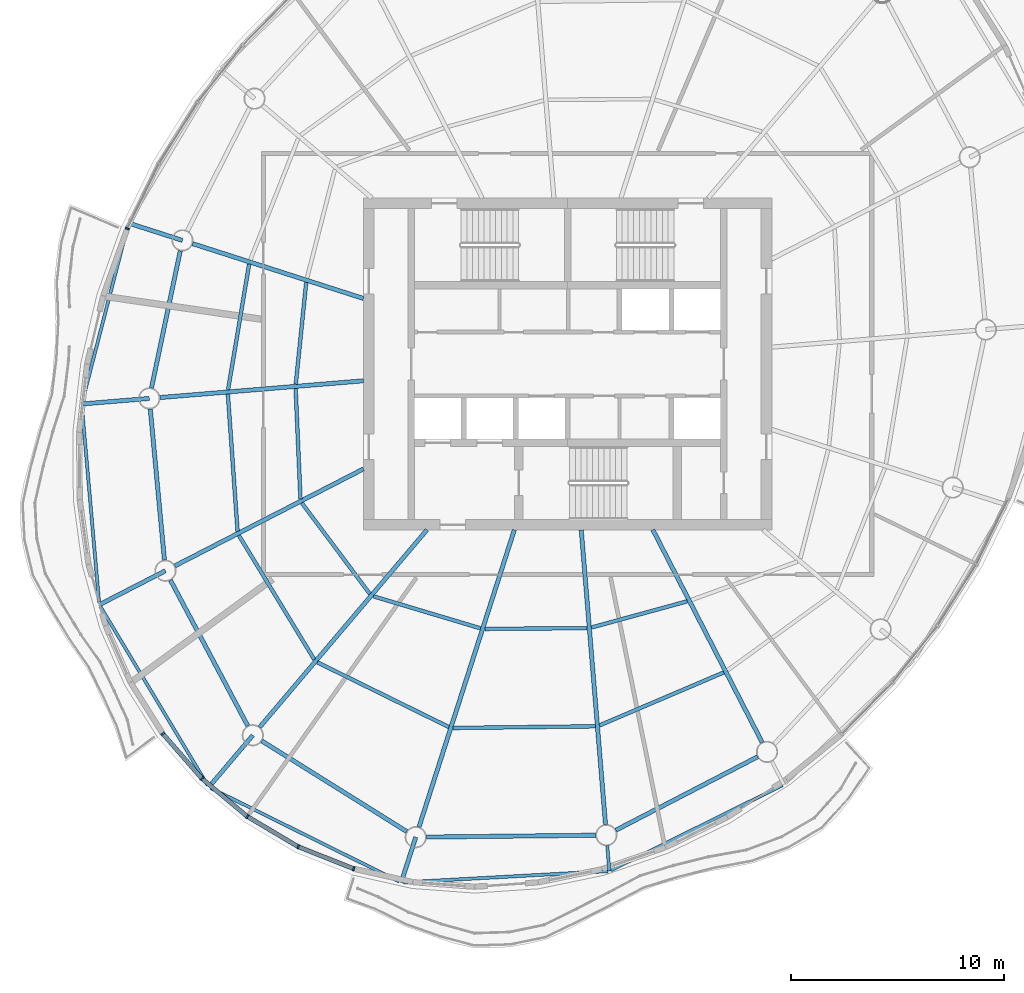
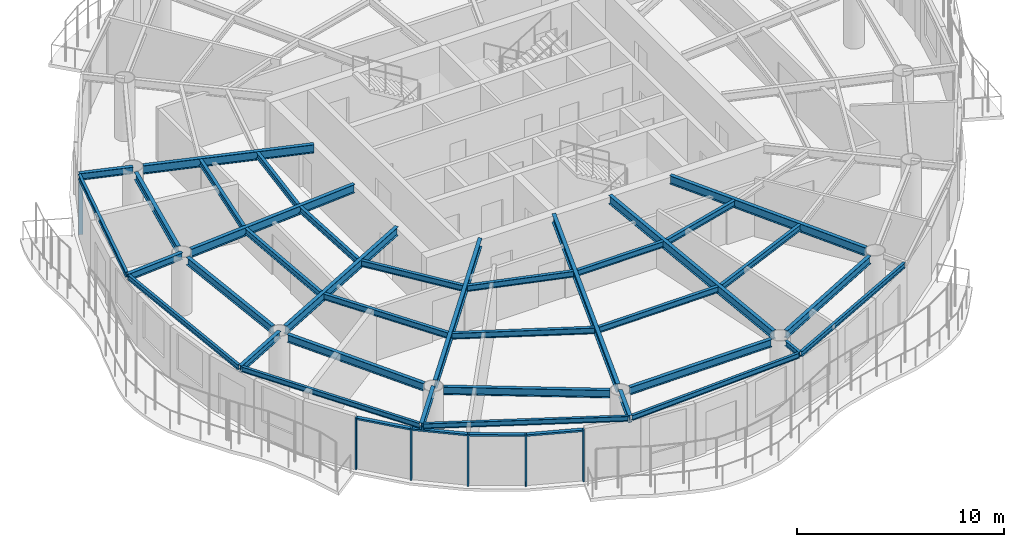
# One storey, part 2 of 14: 37 beams, 10 members, 5 elements without a shape of their own.
"""IFC4 building model written with IfcOpenShell, lengths in metres."""

from ifc_helpers import new_model, si_unit, direction, frame, origin, origin_2d, place, context, subcontext, project, spatial, rectangle, i_section, extrude, material, material_profile, profile_set, type_object, element, aggregate, save


model = new_model("IFC4")

# Units and contexts
model_context = context("Model", 3, precision=1e-05, world=origin(), true_north=direction((0.0, 1.0)))
body_context = subcontext(model_context, "Body", "Model", "MODEL_VIEW")
ifc_project = project(units=[si_unit("LENGTHUNIT", "METRE"), si_unit("AREAUNIT", "SQUARE_METRE"), si_unit("VOLUMEUNIT", "CUBIC_METRE"), si_unit("PLANEANGLEUNIT", "RADIAN"), si_unit("MASSUNIT", "GRAM", prefix="KILO")], contexts=[model_context])

# Site, building, storey
site_placement = place(None, origin())
site = spatial("IfcSite", under=ifc_project, at=site_placement, CompositionType="ELEMENT")
building_placement = place(site_placement, origin())
building = spatial("IfcBuilding", under=site, at=building_placement, Name="Vermilion Reach Broadcast Tower", CompositionType="ELEMENT")
storey_placement = place(building_placement, frame((0.0, 0.0, 254.10009765625)))
storey = spatial("IfcBuildingStorey", under=building, at=storey_placement, Name="L62", CompositionType="ELEMENT", Elevation=254.10009765625)

# Beams
ifc_material_1 = material(Name="Steel S355J2", Category="steel")
ifc_material_profile_1 = material_profile(ifc_material_1, i_section(OverallWidth=0.14990234375, OverallDepth=0.300048828125, WebThickness=0.006591796875, FlangeThickness=0.009033203125, at=origin_2d()), Name="S355J2 HN 300x150x6.5x9")
ifc_profile_set_1 = profile_set([ifc_material_profile_1], Name="Steel S355J2")
beam_type_1 = type_object("IfcBeamType", Name="EB5 HN 300x150x6.5x9", PredefinedType="BEAM", material=ifc_profile_set_1)
beam_1_placement = place(storey_placement, frame((-26.669189453125, 6.527099609375, 3.2998046875), z_axis=(-0.250374544751, -0.968149052234, 0.0), x_axis=(0.968149052234, -0.250374544751, 0.0)))
element("IfcBeam", 1, at=beam_1_placement, inside=storey, type_object=beam_type_1, Name="Edge beam EB5-05", PredefinedType="BEAM", context=body_context, shape_type="SweptSolid", body=[
    extrude(i_section(OverallWidth=0.14990234375, OverallDepth=0.300048828125, WebThickness=0.006591796875, FlangeThickness=0.009033203125, at=origin_2d()), origin(), (0.0, 0.0, 1.0), 8.579833984375),
])
beam_2_placement = place(storey_placement, frame((-28.835205078125, -1.981689453125, 3.2998046875), z_axis=(0.087425492139, -0.996171061276, 0.0), x_axis=(0.996171061276, 0.087425492139, 0.0)))
element("IfcBeam", 2, at=beam_2_placement, inside=storey, type_object=beam_type_1, Name="Edge beam EB5-06", PredefinedType="BEAM", context=body_context, shape_type="SweptSolid", body=[
    extrude(i_section(OverallWidth=0.14990234375, OverallDepth=0.300048828125, WebThickness=0.006591796875, FlangeThickness=0.009033203125, at=origin_2d()), origin(), (0.0, 0.0, 1.0), 9.265625),
])
beam_3_placement = place(storey_placement, frame((-27.964111328125, -11.4052734375, 3.2998046875), z_axis=(0.514781565132, -0.857321375098, 0.0), x_axis=(0.857321375098, 0.514781565132, 0.0)))
element("IfcBeam", 3, at=beam_3_placement, inside=storey, type_object=beam_type_1, Name="Edge beam EB5-07", PredefinedType="BEAM", context=body_context, shape_type="SweptSolid", body=[
    extrude(i_section(OverallWidth=0.14990234375, OverallDepth=0.300048828125, WebThickness=0.006591796875, FlangeThickness=0.009033203125, at=origin_2d()), origin(), (0.0, 0.0, 1.0), 9.79736328125),
])
beam_4_placement = place(storey_placement, frame((-22.774169921875, -19.94091796875, 3.2998046875), z_axis=(0.895947529317, -0.444159908941, 0.0), x_axis=(0.444159908941, 0.895947529317, 0.0)))
element("IfcBeam", 4, at=beam_4_placement, inside=storey, type_object=beam_type_1, Name="Edge beam EB5-08", PredefinedType="BEAM", context=body_context, shape_type="SweptSolid", body=[
    extrude(i_section(OverallWidth=0.14990234375, OverallDepth=0.300048828125, WebThickness=0.006591796875, FlangeThickness=0.009033203125, at=origin_2d()), origin(), (0.0, 0.0, 1.0), 9.89013671875),
])
beam_5_placement = place(storey_placement, frame((-13.715576171875, -24.372802734375, 3.2998046875), z_axis=(0.998492049907, 0.054896505108, 0.0), x_axis=(-0.054896505108, 0.998492049907, 0.0)))
element("IfcBeam", 5, at=beam_5_placement, inside=storey, type_object=beam_type_1, Name="Edge beam EB5-09", PredefinedType="BEAM", context=body_context, shape_type="SweptSolid", body=[
    extrude(i_section(OverallWidth=0.14990234375, OverallDepth=0.300048828125, WebThickness=0.006591796875, FlangeThickness=0.009033203125, at=origin_2d()), origin(), (0.0, 0.0, 1.0), 9.619384765625),
])
beam_6_placement = place(storey_placement, frame((-3.96337890625, -23.8046875, 3.2998046875), z_axis=(0.896081241174, 0.443890086865, 0.0), x_axis=(-0.443890086865, 0.896081241174, 0.0)))
element("IfcBeam", 6, at=beam_6_placement, inside=storey, type_object=beam_type_1, Name="Edge beam EB5-10", PredefinedType="BEAM", context=body_context, shape_type="SweptSolid", body=[
    extrude(i_section(OverallWidth=0.14990234375, OverallDepth=0.300048828125, WebThickness=0.006591796875, FlangeThickness=0.009033203125, at=origin_2d()), origin(), (0.0, 0.0, 1.0), 8.999755859375),
])
ifc_material_2 = material(Name="Steel S355J2", Category="steel")
ifc_material_profile_2 = material_profile(ifc_material_2, i_section(OverallWidth=0.199951171875, OverallDepth=0.5, WebThickness=0.010009765625, FlangeThickness=0.01611328125, at=origin_2d()), Name="S355J2 HN 500x200x10x16")
ifc_profile_set_2 = profile_set([ifc_material_profile_2], Name="Steel S355J2")
beam_type_2 = type_object("IfcBeamType", Name="G5 HN 500x200x10x16", PredefinedType="BEAM", material=ifc_profile_set_2)
beam_7_placement = place(storey_placement, frame((-15.60009765625, 3.080322265625, 3.199951171875), z_axis=(-0.952178453449, 0.305542456604, 0.0), x_axis=(-0.305542456604, -0.952178453449, 0.0)))
element("IfcBeam", 7, at=beam_7_placement, inside=storey, type_object=beam_type_2, Name="Girder G5-05", PredefinedType="BEAM", context=body_context, shape_type="SweptSolid", body=[
    extrude(i_section(OverallWidth=0.199951171875, OverallDepth=0.5, WebThickness=0.010009765625, FlangeThickness=0.01611328125, at=origin_2d()), origin(), (0.0, 0.0, 1.0), 8.43310546875),
])
beam_8_placement = place(storey_placement, frame((-15.60009765625, -0.791015625, 3.199951171875), z_axis=(-0.996624410075, -0.082096195058, 0.0), x_axis=(0.082096195058, -0.996624410075, 0.0)))
element("IfcBeam", 8, at=beam_8_placement, inside=storey, type_object=beam_type_2, Name="Girder G5-06", PredefinedType="BEAM", context=body_context, shape_type="SweptSolid", body=[
    extrude(i_section(OverallWidth=0.199951171875, OverallDepth=0.5, WebThickness=0.010009765625, FlangeThickness=0.01611328125, at=origin_2d()), origin(), (0.0, 0.0, 1.0), 9.599609375),
])
beam_9_placement = place(storey_placement, frame((-15.60009765625, -4.935791015625, 3.199951171875), z_axis=(-0.889332502449, -0.457261085254, 0.0), x_axis=(0.457261085254, -0.889332502449, 0.0)))
element("IfcBeam", 9, at=beam_9_placement, inside=storey, type_object=beam_type_2, Name="Girder G5-07", PredefinedType="BEAM", context=body_context, shape_type="SweptSolid", body=[
    extrude(i_section(OverallWidth=0.199951171875, OverallDepth=0.5, WebThickness=0.010009765625, FlangeThickness=0.01611328125, at=origin_2d()), origin(), (0.0, 0.0, 1.0), 9.96337890625),
])
beam_10_placement = place(storey_placement, frame((-12.612548828125, -7.800048828125, 3.199951171875), z_axis=(-0.646658335602, -0.762779782766, 0.0), x_axis=(0.762779782766, -0.646658335602, 0.0)))
element("IfcBeam", 10, at=beam_10_placement, inside=storey, type_object=beam_type_2, Name="Girder G5-08", PredefinedType="BEAM", context=body_context, shape_type="SweptSolid", body=[
    extrude(i_section(OverallWidth=0.199951171875, OverallDepth=0.5, WebThickness=0.010009765625, FlangeThickness=0.01611328125, at=origin_2d()), origin(), (0.0, 0.0, 1.0), 12.16064453125),
])
beam_11_placement = place(storey_placement, frame((-8.502685546875, -7.800048828125, 3.199951171875), z_axis=(-0.305545401295, -0.952177508528, 0.0), x_axis=(0.952177508528, -0.305545401295, 0.0)))
element("IfcBeam", 11, at=beam_11_placement, inside=storey, type_object=beam_type_2, Name="Girder G5-09", PredefinedType="BEAM", context=body_context, shape_type="SweptSolid", body=[
    extrude(i_section(OverallWidth=0.199951171875, OverallDepth=0.5, WebThickness=0.010009765625, FlangeThickness=0.01611328125, at=origin_2d()), origin(), (0.0, 0.0, 1.0), 14.672607421875),
])
beam_12_placement = place(storey_placement, frame((-5.357421875, -7.800048828125, 3.199951171875), z_axis=(0.082123744247, -0.996622140347, 0.0), x_axis=(0.996622140347, 0.082123744247, 0.0)))
element("IfcBeam", 12, at=beam_12_placement, inside=storey, type_object=beam_type_2, Name="Girder G5-10", PredefinedType="BEAM", context=body_context, shape_type="SweptSolid", body=[
    extrude(i_section(OverallWidth=0.199951171875, OverallDepth=0.5, WebThickness=0.010009765625, FlangeThickness=0.01611328125, at=origin_2d()), origin(), (0.0, 0.0, 1.0), 13.89794921875),
])
beam_13_placement = place(storey_placement, frame((-1.989501953125, -7.800048828125, 3.199951171875), z_axis=(0.457258168112, -0.889334002327, 0.0), x_axis=(0.889334002327, 0.457258168112, 0.0)))
element("IfcBeam", 13, at=beam_13_placement, inside=storey, type_object=beam_type_2, Name="Girder G5-11", PredefinedType="BEAM", context=body_context, shape_type="SweptSolid", body=[
    extrude(i_section(OverallWidth=0.199951171875, OverallDepth=0.5, WebThickness=0.010009765625, FlangeThickness=0.01611328125, at=origin_2d()), origin(), (0.0, 0.0, 1.0), 11.236328125),
])
ifc_material_3 = material(Name="Steel S355J2", Category="steel")
ifc_material_profile_3 = material_profile(ifc_material_3, i_section(OverallWidth=0.199951171875, OverallDepth=0.39990234375, WebThickness=0.008056640625, FlangeThickness=0.012939453125, at=origin_2d()), Name="S355J2 HN 400x200x8x13")
ifc_profile_set_3 = profile_set([ifc_material_profile_3], Name="Steel S355J2")
beam_type_3 = type_object("IfcBeamType", Name="GC5 HN 400x200x8x13", PredefinedType="BEAM", material=ifc_profile_set_3)
beam_14_placement = place(storey_placement, frame((-24.10595703125, 5.809814453125, 3.25), z_axis=(-0.95218566147, 0.305519992947, 0.0), x_axis=(-0.305519992947, -0.95218566147, 0.0)))
element("IfcBeam", 14, at=beam_14_placement, inside=storey, type_object=beam_type_3, Name="Cantilever girder GC5-05", PredefinedType="BEAM", context=body_context, shape_type="SweptSolid", body=[
    extrude(i_section(OverallWidth=0.199951171875, OverallDepth=0.39990234375, WebThickness=0.008056640625, FlangeThickness=0.012939453125, at=origin_2d()), origin(), (0.0, 0.0, 1.0), 2.665771484375),
])
beam_15_placement = place(storey_placement, frame((-25.665771484375, -1.620361328125, 3.25), z_axis=(-0.996626590018, -0.082069726878, 0.0), x_axis=(0.082069726878, -0.996626590018, 0.0)))
element("IfcBeam", 15, at=beam_15_placement, inside=storey, type_object=beam_type_3, Name="Cantilever girder GC5-06", PredefinedType="BEAM", context=body_context, shape_type="SweptSolid", body=[
    extrude(i_section(OverallWidth=0.199951171875, OverallDepth=0.39990234375, WebThickness=0.008056640625, FlangeThickness=0.012939453125, at=origin_2d()), origin(), (0.0, 0.0, 1.0), 3.18896484375),
])
beam_16_placement = place(storey_placement, frame((-24.905517578125, -9.72021484375, 3.25), z_axis=(-0.88932998295, -0.457265985424, 0.0), x_axis=(0.457265985424, -0.88932998295, 0.0)))
element("IfcBeam", 16, at=beam_16_placement, inside=storey, type_object=beam_type_3, Name="Cantilever girder GC5-07", PredefinedType="BEAM", context=body_context, shape_type="SweptSolid", body=[
    extrude(i_section(OverallWidth=0.199951171875, OverallDepth=0.39990234375, WebThickness=0.008056640625, FlangeThickness=0.012939453125, at=origin_2d()), origin(), (0.0, 0.0, 1.0), 3.4970703125),
])
beam_17_placement = place(storey_placement, frame((-20.799560546875, -17.457275390625, 3.25), z_axis=(-0.646667861849, -0.762771706641, 0.0), x_axis=(0.762771706641, -0.646667861849, 0.0)))
element("IfcBeam", 17, at=beam_17_placement, inside=storey, type_object=beam_type_3, Name="Cantilever girder GC5-08", PredefinedType="BEAM", context=body_context, shape_type="SweptSolid", body=[
    extrude(i_section(OverallWidth=0.199951171875, OverallDepth=0.39990234375, WebThickness=0.008056640625, FlangeThickness=0.012939453125, at=origin_2d()), origin(), (0.0, 0.0, 1.0), 3.1962890625),
])
beam_18_placement = place(storey_placement, frame((-13.138427734375, -22.2470703125, 3.25), z_axis=(-0.305574941764, -0.952168028746, 0.0), x_axis=(0.952168028746, -0.305574941764, 0.0)))
element("IfcBeam", 18, at=beam_18_placement, inside=storey, type_object=beam_type_3, Name="Cantilever girder GC5-09", PredefinedType="BEAM", context=body_context, shape_type="SweptSolid", body=[
    extrude(i_section(OverallWidth=0.199951171875, OverallDepth=0.39990234375, WebThickness=0.008056640625, FlangeThickness=0.012939453125, at=origin_2d()), origin(), (0.0, 0.0, 1.0), 2.23876953125),
])
ifc_material_4 = material(Name="Steel S355J2", Category="steel")
ifc_material_profile_4 = material_profile(ifc_material_4, i_section(OverallWidth=0.14990234375, OverallDepth=0.300048828125, WebThickness=0.006591796875, FlangeThickness=0.009033203125, at=origin_2d()), Name="S355J2 HN 300x150x6.5x9")
ifc_profile_set_4 = profile_set([ifc_material_profile_4], Name="Steel S355J2")
beam_type_4 = type_object("IfcBeamType", Name="GS5 HN 300x150x6.5x9", PredefinedType="BEAM", material=ifc_profile_set_4)
beam_19_placement = place(storey_placement, frame((-4.134033203125, -22.647705078125, 3.2998046875), z_axis=(0.082201420763, -0.996615736593, 0.0), x_axis=(0.996615736593, 0.082201420763, 0.0)))
element("IfcBeam", 19, at=beam_19_placement, inside=storey, type_object=beam_type_4, Name="Cantilever stub GS5-10", PredefinedType="BEAM", context=body_context, shape_type="SweptSolid", body=[
    extrude(i_section(OverallWidth=0.14990234375, OverallDepth=0.300048828125, WebThickness=0.006591796875, FlangeThickness=0.009033203125, at=origin_2d()), origin(), (0.0, 0.0, 1.0), 1.197021484375),
])
ifc_material_5 = material(Name="Steel S355J2", Category="steel")
ifc_material_profile_5 = material_profile(ifc_material_5, i_section(OverallWidth=0.199951171875, OverallDepth=0.449951171875, WebThickness=0.009033203125, FlangeThickness=0.013916015625, at=origin_2d()), Name="S355J2 HN 450x200x9x14")
ifc_profile_set_5 = profile_set([ifc_material_profile_5], Name="Steel S355J2")
beam_type_5 = type_object("IfcBeamType", Name="RB5 HN 450x200x9x14", PredefinedType="BEAM", material=ifc_profile_set_5)
beam_20_placement = place(storey_placement, frame((-24.208740234375, 5.3203125, 3.224853515625), z_axis=(-0.205444869285, -0.978668690459, 0.0), x_axis=(0.978668690459, -0.205444869285, 0.0)))
element("IfcBeam", 20, at=beam_20_placement, inside=storey, type_object=beam_type_5, Name="Ring beam RB5-05", PredefinedType="BEAM", context=body_context, shape_type="SweptSolid", body=[
    extrude(i_section(OverallWidth=0.199951171875, OverallDepth=0.449951171875, WebThickness=0.009033203125, FlangeThickness=0.013916015625, at=origin_2d()), origin(), (0.0, 0.0, 1.0), 6.591796875),
])
beam_21_placement = place(storey_placement, frame((-25.618896484375, -2.1181640625, 3.224853515625), z_axis=(0.093441399272, -0.995624781181, 0.0), x_axis=(0.995624781181, 0.093441399272, 0.0)))
element("IfcBeam", 21, at=beam_21_placement, inside=storey, type_object=beam_type_5, Name="Ring beam RB5-06", PredefinedType="BEAM", context=body_context, shape_type="SweptSolid", body=[
    extrude(i_section(OverallWidth=0.199951171875, OverallDepth=0.449951171875, WebThickness=0.009033203125, FlangeThickness=0.013916015625, at=origin_2d()), origin(), (0.0, 0.0, 1.0), 7.135498046875),
])
beam_22_placement = place(storey_placement, frame((-24.671142578125, -10.161865234375, 3.224853515625), z_axis=(0.468767917375, -0.883321368269, 0.0), x_axis=(0.883321368269, 0.468767917375, 0.0)))
element("IfcBeam", 22, at=beam_22_placement, inside=storey, type_object=beam_type_5, Name="Ring beam RB5-07", PredefinedType="BEAM", context=body_context, shape_type="SweptSolid", body=[
    extrude(i_section(OverallWidth=0.199951171875, OverallDepth=0.449951171875, WebThickness=0.009033203125, FlangeThickness=0.013916015625, at=origin_2d()), origin(), (0.0, 0.0, 1.0), 7.759033203125),
])
beam_23_placement = place(storey_placement, frame((-20.375732421875, -17.722412109375, 3.224853515625), z_axis=(0.847914653245, -0.530132757724, 0.0), x_axis=(0.530132757724, 0.847914653245, 0.0)))
element("IfcBeam", 23, at=beam_23_placement, inside=storey, type_object=beam_type_5, Name="Ring beam RB5-08", PredefinedType="BEAM", context=body_context, shape_type="SweptSolid", body=[
    extrude(i_section(OverallWidth=0.199951171875, OverallDepth=0.449951171875, WebThickness=0.009033203125, FlangeThickness=0.013916015625, at=origin_2d()), origin(), (0.0, 0.0, 1.0), 8.035400390625),
])
beam_24_placement = place(storey_placement, frame((-12.638427734375, -22.24169921875, 3.224853515625), z_axis=(0.999940445231, 0.010913569149, 0.0), x_axis=(-0.010913569149, 0.999940445231, 0.0)))
element("IfcBeam", 24, at=beam_24_placement, inside=storey, type_object=beam_type_5, Name="Ring beam RB5-09", PredefinedType="BEAM", context=body_context, shape_type="SweptSolid", body=[
    extrude(i_section(OverallWidth=0.199951171875, OverallDepth=0.449951171875, WebThickness=0.009033203125, FlangeThickness=0.013916015625, at=origin_2d()), origin(), (0.0, 0.0, 1.0), 7.9638671875),
])
beam_25_placement = place(storey_placement, frame((-3.731201171875, -21.91943359375, 3.224853515625), z_axis=(0.887960248279, 0.459920207729, 0.0), x_axis=(-0.459920207729, 0.887960248279, 0.0)))
element("IfcBeam", 25, at=beam_25_placement, inside=storey, type_object=beam_type_5, Name="Ring beam RB5-10", PredefinedType="BEAM", context=body_context, shape_type="SweptSolid", body=[
    extrude(i_section(OverallWidth=0.199951171875, OverallDepth=0.449951171875, WebThickness=0.009033203125, FlangeThickness=0.013916015625, at=origin_2d()), origin(), (0.0, 0.0, 1.0), 7.5048828125),
])
ifc_material_6 = material(Name="Steel S355J2", Category="steel")
ifc_material_profile_6 = material_profile(ifc_material_6, i_section(OverallWidth=0.175048828125, OverallDepth=0.35009765625, WebThickness=0.007080078125, FlangeThickness=0.010986328125, at=origin_2d()), Name="S355J2 HN 350x175x7x11")
ifc_profile_set_6 = profile_set([ifc_material_profile_6], Name="Steel S355J2")
beam_type_6 = type_object("IfcBeamType", Name="SB5 HN 350x175x7x11", PredefinedType="BEAM", material=ifc_profile_set_6)
beam_26_placement = place(storey_placement, frame((-18.287109375, 3.837646484375, 3.27490234375), z_axis=(-0.102113775264, -0.994772726255, 0.0), x_axis=(0.994772726255, -0.102113775264, 0.0)))
element("IfcBeam", 26, at=beam_26_placement, inside=storey, type_object=beam_type_6, Name="Secondary beam SB5-05-1", PredefinedType="BEAM", context=body_context, shape_type="SweptSolid", body=[
    extrude(i_section(OverallWidth=0.175048828125, OverallDepth=0.35009765625, WebThickness=0.007080078125, FlangeThickness=0.010986328125, at=origin_2d()), origin(), (0.0, 0.0, 1.0), 4.815185546875),
])
beam_27_placement = place(storey_placement, frame((-20.969970703125, 4.698486328125, 3.27490234375), z_axis=(-0.16532337011, -0.986239414795, 0.0), x_axis=(0.986239414795, -0.16532337011, 0.0)))
element("IfcBeam", 27, at=beam_27_placement, inside=storey, type_object=beam_type_6, Name="Secondary beam SB5-05-2", PredefinedType="BEAM", context=body_context, shape_type="SweptSolid", body=[
    extrude(i_section(OverallWidth=0.175048828125, OverallDepth=0.35009765625, WebThickness=0.007080078125, FlangeThickness=0.010986328125, at=origin_2d()), origin(), (0.0, 0.0, 1.0), 5.99560546875),
])
beam_28_placement = place(storey_placement, frame((-18.78466796875, -1.153564453125, 3.27490234375), z_axis=(0.043557530017, -0.999050920413, 0.0), x_axis=(0.999050920413, 0.043557530017, 0.0)))
element("IfcBeam", 28, at=beam_28_placement, inside=storey, type_object=beam_type_6, Name="Secondary beam SB5-06-1", PredefinedType="BEAM", context=body_context, shape_type="SweptSolid", body=[
    extrude(i_section(OverallWidth=0.175048828125, OverallDepth=0.35009765625, WebThickness=0.007080078125, FlangeThickness=0.010986328125, at=origin_2d()), origin(), (0.0, 0.0, 1.0), 5.19580078125),
])
beam_29_placement = place(storey_placement, frame((-21.97119140625, -1.416259765625, 3.27490234375), z_axis=(0.070586780458, -0.997505642302, 0.0), x_axis=(0.997505642302, 0.070586780458, 0.0)))
element("IfcBeam", 29, at=beam_29_placement, inside=storey, type_object=beam_type_6, Name="Secondary beam SB5-06-2", PredefinedType="BEAM", context=body_context, shape_type="SweptSolid", body=[
    extrude(i_section(OverallWidth=0.175048828125, OverallDepth=0.35009765625, WebThickness=0.007080078125, FlangeThickness=0.010986328125, at=origin_2d()), origin(), (0.0, 0.0, 1.0), 6.46435546875),
])
beam_30_placement = place(storey_placement, frame((-18.492919921875, -6.53564453125, 3.27490234375), z_axis=(0.599055582645, -0.800707442767, 0.0), x_axis=(0.800707442767, 0.599055582645, 0.0)))
element("IfcBeam", 30, at=beam_30_placement, inside=storey, type_object=beam_type_6, Name="Secondary beam SB5-07-1", PredefinedType="BEAM", context=body_context, shape_type="SweptSolid", body=[
    extrude(i_section(OverallWidth=0.175048828125, OverallDepth=0.35009765625, WebThickness=0.007080078125, FlangeThickness=0.010986328125, at=origin_2d()), origin(), (0.0, 0.0, 1.0), 5.337890625),
])
beam_31_placement = place(storey_placement, frame((-21.455078125, -8.058837890625, 3.27490234375), z_axis=(0.519272962556, -0.854608442714, 0.0), x_axis=(0.854608442714, 0.519272962556, 0.0)))
element("IfcBeam", 31, at=beam_31_placement, inside=storey, type_object=beam_type_6, Name="Secondary beam SB5-07-2", PredefinedType="BEAM", context=body_context, shape_type="SweptSolid", body=[
    extrude(i_section(OverallWidth=0.175048828125, OverallDepth=0.35009765625, WebThickness=0.007080078125, FlangeThickness=0.010986328125, at=origin_2d()), origin(), (0.0, 0.0, 1.0), 6.82763671875),
])
beam_32_placement = place(storey_placement, frame((-15.129150390625, -10.92333984375, 3.27490234375), z_axis=(0.958124906971, -0.286350593925, 0.0), x_axis=(0.286350593925, 0.958124906971, 0.0)))
element("IfcBeam", 32, at=beam_32_placement, inside=storey, type_object=beam_type_6, Name="Secondary beam SB5-08-1", PredefinedType="BEAM", context=body_context, shape_type="SweptSolid", body=[
    extrude(i_section(OverallWidth=0.175048828125, OverallDepth=0.35009765625, WebThickness=0.007080078125, FlangeThickness=0.010986328125, at=origin_2d()), origin(), (0.0, 0.0, 1.0), 5.25634765625),
])
beam_33_placement = place(storey_placement, frame((-17.762451171875, -14.029541015625, 3.27490234375), z_axis=(0.897335928087, -0.441348198325, 0.0), x_axis=(0.441348198325, 0.897335928087, 0.0)))
element("IfcBeam", 33, at=beam_33_placement, inside=storey, type_object=beam_type_6, Name="Secondary beam SB5-08-2", PredefinedType="BEAM", context=body_context, shape_type="SweptSolid", body=[
    extrude(i_section(OverallWidth=0.175048828125, OverallDepth=0.35009765625, WebThickness=0.007080078125, FlangeThickness=0.010986328125, at=origin_2d()), origin(), (0.0, 0.0, 1.0), 6.887451171875),
])
beam_34_placement = place(storey_placement, frame((-9.891845703125, -12.4560546875, 3.27490234375), z_axis=(0.999968312294, 0.007960804474, 0.0), x_axis=(-0.007960804474, 0.999968312294, 0.0)))
element("IfcBeam", 34, at=beam_34_placement, inside=storey, type_object=beam_type_6, Name="Secondary beam SB5-09-1", PredefinedType="BEAM", context=body_context, shape_type="SweptSolid", body=[
    extrude(i_section(OverallWidth=0.175048828125, OverallDepth=0.35009765625, WebThickness=0.007080078125, FlangeThickness=0.010986328125, at=origin_2d()), origin(), (0.0, 0.0, 1.0), 4.81494140625),
])
beam_35_placement = place(storey_placement, frame((-11.385986328125, -17.11279296875, 3.27490234375), z_axis=(0.999932654133, 0.011605481368, 0.0), x_axis=(-0.011605481368, 0.999932654133, 0.0)))
element("IfcBeam", 35, at=beam_35_placement, inside=storey, type_object=beam_type_6, Name="Secondary beam SB5-09-2", PredefinedType="BEAM", context=body_context, shape_type="SweptSolid", body=[
    extrude(i_section(OverallWidth=0.175048828125, OverallDepth=0.35009765625, WebThickness=0.007080078125, FlangeThickness=0.010986328125, at=origin_2d()), origin(), (0.0, 0.0, 1.0), 6.689697265625),
])
beam_36_placement = place(storey_placement, frame((-4.87890625, -12.39013671875, 3.27490234375), z_axis=(0.964547496851, 0.263909314573, 0.0), x_axis=(-0.263909314573, 0.964547496851, 0.0)))
element("IfcBeam", 36, at=beam_36_placement, inside=storey, type_object=beam_type_6, Name="Secondary beam SB5-10-1", PredefinedType="BEAM", context=body_context, shape_type="SweptSolid", body=[
    extrude(i_section(OverallWidth=0.175048828125, OverallDepth=0.35009765625, WebThickness=0.007080078125, FlangeThickness=0.010986328125, at=origin_2d()), origin(), (0.0, 0.0, 1.0), 4.6689453125),
])
beam_37_placement = place(storey_placement, frame((-4.49951171875, -16.99267578125, 3.27490234375), z_axis=(0.919880986172, 0.392197617637, 0.0), x_axis=(-0.392197617637, 0.919880986172, 0.0)))
element("IfcBeam", 37, at=beam_37_placement, inside=storey, type_object=beam_type_6, Name="Secondary beam SB5-10-2", PredefinedType="BEAM", context=body_context, shape_type="SweptSolid", body=[
    extrude(i_section(OverallWidth=0.175048828125, OverallDepth=0.35009765625, WebThickness=0.007080078125, FlangeThickness=0.010986328125, at=origin_2d()), origin(), (0.0, 0.0, 1.0), 6.351806640625),
])

# Curtain wall, member
ifc_material_7 = material(Name="Low-e laminated clear glass in aluminium frame", Category="aluminium")
curtain_wall_type = type_object("IfcCurtainWallType", Name="Slot curtain wall", PredefinedType="NOTDEFINED", material=ifc_material_7)
placement = place(storey_placement, origin())
curtain_wall_1 = element("IfcCurtainWall", 38, at=placement, inside=storey, type_object=curtain_wall_type, Name="Slot curtain wall L62 13", PredefinedType="NOTDEFINED")
ifc_material_8 = material(Name="Anodised aluminium", Category="aluminium")
ifc_material_profile_7 = material_profile(ifc_material_8, rectangle(XDim=0.199951171875, YDim=0.080078125, at=origin_2d()), Name="Slot mullion 80 x 200")
ifc_profile_set_7 = profile_set([ifc_material_profile_7], Name="Anodised aluminium")
member_type_1 = type_object("IfcMemberType", Name="Slot mullion 80 x 200", PredefinedType="MULLION", material=ifc_profile_set_7)
member_1_placement = place(storey_placement, frame((-26.698974609375, 6.365234375, 0.0), z_axis=(0.0, 0.0, 1.0), x_axis=(0.921327834354, -0.388786601679, 0.0)))
member_1 = element("IfcMember", 39, at=member_1_placement, type_object=member_type_1, Name="Slot mullion L62 14", PredefinedType="MULLION", context=body_context, shape_type="SweptSolid", body=[
    extrude(rectangle(XDim=0.199951171875, YDim=0.080078125, at=origin_2d()), origin(), (0.0, 0.0, 1.0), 3.0498046875),
])
aggregate(curtain_wall_1, [member_1])

curtain_wall_2 = element("IfcCurtainWall", 40, at=placement, inside=storey, type_object=curtain_wall_type, Name="Slot curtain wall L62 22", PredefinedType="NOTDEFINED")
member_2_placement = place(storey_placement, frame((-25.03125, -17.37939453125, 0.0), z_axis=(0.0, 0.0, 1.0), x_axis=(0.802333066989, 0.596876578211, 0.0)))
member_2 = element("IfcMember", 41, at=member_2_placement, type_object=member_type_1, Name="Slot mullion L62 22", PredefinedType="MULLION", context=body_context, shape_type="SweptSolid", body=[
    extrude(rectangle(XDim=0.199951171875, YDim=0.080078125, at=origin_2d()), origin(), (0.0, 0.0, 1.0), 3.0498046875),
])

curtain_wall_3 = element("IfcCurtainWall", 42, at=placement, inside=storey, type_object=curtain_wall_type, Name="Slot curtain wall L62 23", PredefinedType="NOTDEFINED")
member_3_placement = place(storey_placement, frame((-23.188232421875, -19.493896484375, 0.0), z_axis=(0.0, 0.0, 1.0), x_axis=(0.699524902282, 0.714608222096, 0.0)))
member_3 = element("IfcMember", 43, at=member_3_placement, type_object=member_type_1, Name="Slot mullion L62 23", PredefinedType="MULLION", context=body_context, shape_type="SweptSolid", body=[
    extrude(rectangle(XDim=0.199951171875, YDim=0.080078125, at=origin_2d()), origin(), (0.0, 0.0, 1.0), 3.0498046875),
])

curtain_wall_4 = element("IfcCurtainWall", 44, at=placement, inside=storey, type_object=curtain_wall_type, Name="Slot curtain wall L62 24", PredefinedType="NOTDEFINED")
member_4_placement = place(storey_placement, frame((-21.05322265625, -21.276123046875, 0.0), z_axis=(0.0, 0.0, 1.0), x_axis=(0.577572773749, 0.81633920096, 0.0)))
member_4 = element("IfcMember", 45, at=member_4_placement, type_object=member_type_1, Name="Slot mullion L62 24", PredefinedType="MULLION", context=body_context, shape_type="SweptSolid", body=[
    extrude(rectangle(XDim=0.199951171875, YDim=0.080078125, at=origin_2d()), origin(), (0.0, 0.0, 1.0), 3.0498046875),
])

# Curtain wall, members
curtain_wall_5 = element("IfcCurtainWall", 46, at=placement, inside=storey, type_object=curtain_wall_type, Name="Slot curtain wall L62 25", PredefinedType="NOTDEFINED")
member_5_placement = place(storey_placement, frame((-18.662109375, -22.6962890625, 0.0), z_axis=(0.0, 0.0, 1.0), x_axis=(0.441053217633, 0.897480952007, 0.0)))
member_5 = element("IfcMember", 47, at=member_5_placement, type_object=member_type_1, Name="Slot mullion L62 25", PredefinedType="MULLION", context=body_context, shape_type="SweptSolid", body=[
    extrude(rectangle(XDim=0.199951171875, YDim=0.080078125, at=origin_2d()), origin(), (0.0, 0.0, 1.0), 3.0498046875),
])
member_6_placement = place(storey_placement, frame((-16.0546875, -23.73046875, 0.0), z_axis=(0.0, 0.0, 1.0), x_axis=(0.295816714647, 0.955244718036, 0.0)))
member_6 = element("IfcMember", 48, at=member_6_placement, type_object=member_type_1, Name="Slot mullion L62 26", PredefinedType="MULLION", context=body_context, shape_type="SweptSolid", body=[
    extrude(rectangle(XDim=0.199951171875, YDim=0.080078125, at=origin_2d()), origin(), (0.0, 0.0, 1.0), 3.0498046875),
])

# Member
ifc_material_9 = material(Name="Anodised aluminium", Category="aluminium")
ifc_material_profile_8 = material_profile(ifc_material_9, rectangle(XDim=0.199951171875, YDim=0.10009765625, at=origin_2d()), Name="Slot transom 200 x 100")
ifc_profile_set_8 = profile_set([ifc_material_profile_8], Name="Anodised aluminium")
member_type_2 = type_object("IfcMemberType", Name="Slot transom 200 x 100", PredefinedType="USERDEFINED", material=ifc_profile_set_8)
member_7_placement = place(storey_placement, frame((-25.0048828125, -17.40966796875, 3.0), z_axis=(0.657069936488, -0.753829621708, 0.0), x_axis=(0.753829621708, 0.657069936488, 0.0)))
member_7 = element("IfcMember", 49, at=member_7_placement, type_object=member_type_2, Name="Slot transom L62 22.1", ObjectType="TRANSOM", PredefinedType="USERDEFINED", context=body_context, shape_type="SweptSolid", body=[
    extrude(rectangle(XDim=0.199951171875, YDim=0.10009765625, at=origin_2d()), origin(), (0.0, 0.0, 1.0), 2.72509765625),
])

aggregate(curtain_wall_2, [member_2, member_7])

member_8_placement = place(storey_placement, frame((-23.157470703125, -19.51953125, 3.0), z_axis=(0.767665326251, -0.640850955271, 0.0), x_axis=(0.640850955271, 0.767665326251, 0.0)))
member_8 = element("IfcMember", 50, at=member_8_placement, type_object=member_type_2, Name="Slot transom L62 23.1", ObjectType="TRANSOM", PredefinedType="USERDEFINED", context=body_context, shape_type="SweptSolid", body=[
    extrude(rectangle(XDim=0.199951171875, YDim=0.10009765625, at=origin_2d()), origin(), (0.0, 0.0, 1.0), 2.700927734375),
])

aggregate(curtain_wall_3, [member_3, member_8])

member_9_placement = place(storey_placement, frame((-21.018798828125, -21.296630859375, 3.0), z_axis=(0.859805138602, -0.510622290576, 0.0), x_axis=(0.510622290576, 0.859805138602, 0.0)))
member_9 = element("IfcMember", 51, at=member_9_placement, type_object=member_type_2, Name="Slot transom L62 24.1", ObjectType="TRANSOM", PredefinedType="USERDEFINED", context=body_context, shape_type="SweptSolid", body=[
    extrude(rectangle(XDim=0.199951171875, YDim=0.10009765625, at=origin_2d()), origin(), (0.0, 0.0, 1.0), 2.700927734375),
])

aggregate(curtain_wall_4, [member_4, member_9])

member_10_placement = place(storey_placement, frame((-18.625, -22.7109375, 3.0), z_axis=(0.929566258475, -0.368655084197, 0.0), x_axis=(0.368655084197, 0.929566258475, 0.0)))
member_10 = element("IfcMember", 52, at=member_10_placement, type_object=member_type_2, Name="Slot transom L62 25.1", ObjectType="TRANSOM", PredefinedType="USERDEFINED", context=body_context, shape_type="SweptSolid", body=[
    extrude(rectangle(XDim=0.199951171875, YDim=0.10009765625, at=origin_2d()), origin(), (0.0, 0.0, 1.0), 2.72509765625),
])

aggregate(curtain_wall_5, [member_5, member_6, member_10])

save(model, "model.ifc")
